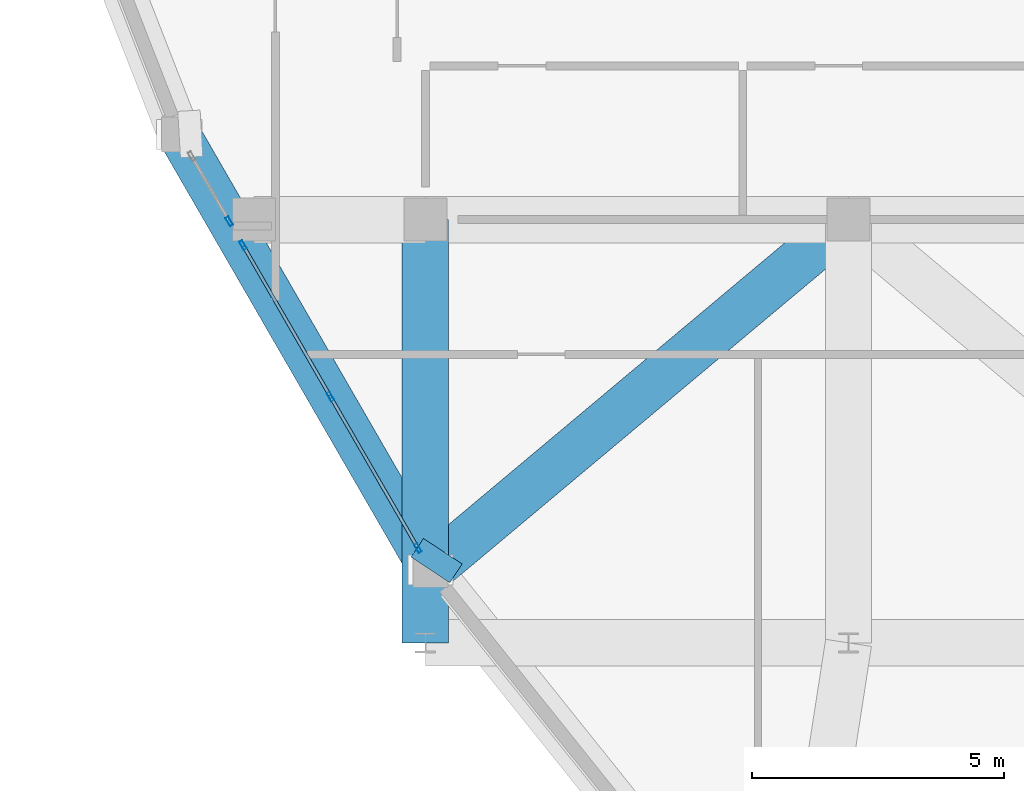
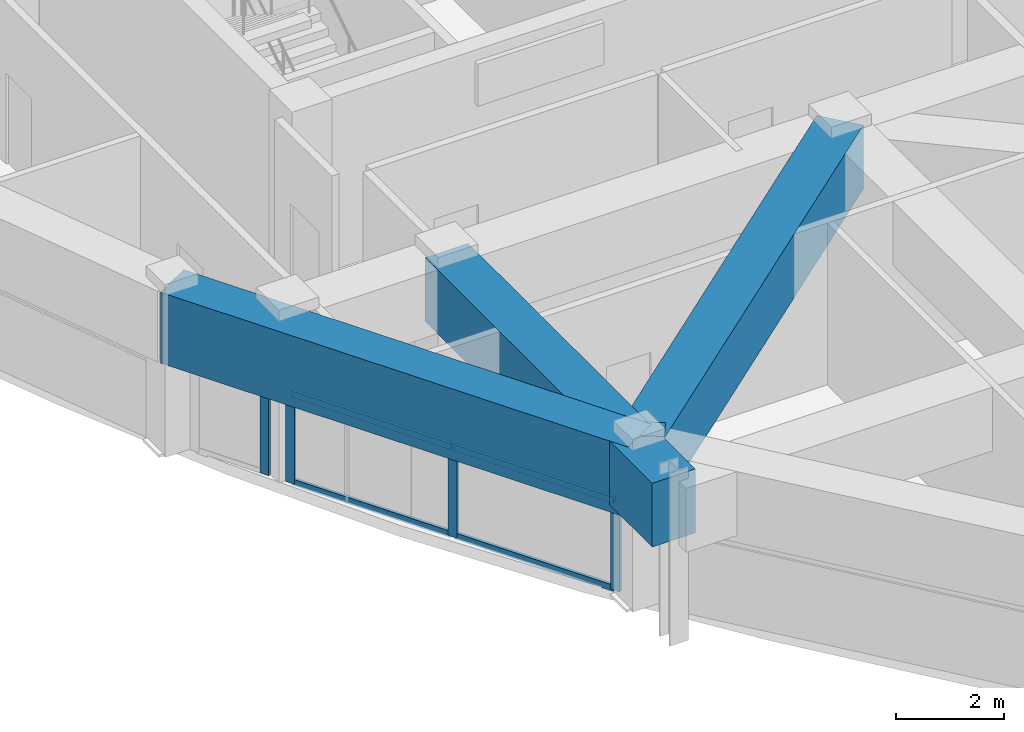
# One storey, part 2 of 13: 8 members, 4 beams, 2 elements without a shape of their own.
"""IFC4 building model written with IfcOpenShell, lengths in metres."""

from ifc_helpers import new_model, si_unit, derived_unit, direction, frame, origin, origin_2d, place, context, subcontext, project, spatial, rectangle, hollow_rectangle, extrude, source, transform, mapped, material, layer, layer_set, material_profile, profile_set, type_object, element, aggregate, save


model = new_model("IFC4")

# Units and contexts
model_context = context("Model", 3, precision=1e-05, world=origin(), true_north=direction((0.0, 1.0)))
body_context = subcontext(model_context, "Body", "Model", "MODEL_VIEW")
ifc_project = project(units=[si_unit("LENGTHUNIT", "METRE"), si_unit("AREAUNIT", "SQUARE_METRE"), si_unit("VOLUMEUNIT", "CUBIC_METRE"), si_unit("PLANEANGLEUNIT", "RADIAN"), si_unit("MASSUNIT", "GRAM", prefix="KILO"), derived_unit("THERMALTRANSMITTANCEUNIT", [(si_unit("POWERUNIT", "WATT"), 1), (si_unit("LENGTHUNIT", "METRE"), -2), (si_unit("THERMODYNAMICTEMPERATUREUNIT", "KELVIN"), -1)])], contexts=[model_context])

# Site, building, storey
site_placement = place(None, origin())
site = spatial("IfcSite", under=ifc_project, at=site_placement, CompositionType="ELEMENT")
building_placement = place(site_placement, origin())
building = spatial("IfcBuilding", under=site, at=building_placement, Name="Korsvarv Bourse and Concert Hall", CompositionType="ELEMENT")
storey_placement = place(building_placement, frame((0.0, 0.0, 292.199951171875)))
storey = spatial("IfcBuildingStorey", under=building, at=storey_placement, Name="L76", CompositionType="ELEMENT", Elevation=292.199951171875)

# Beams
ifc_material_1 = material(Name="Concrete C50/60", Category="concrete")
ifc_material_profile_1 = material_profile(ifc_material_1, rectangle(XDim=0.919921875, YDim=1.43994140625, at=origin_2d()), Name="RC-BM 920x1440")
ifc_profile_set_1 = profile_set([ifc_material_profile_1], Name="Concrete C50/60")
beam_type_1 = type_object("IfcBeamType", Name="BM-TR-144", PredefinedType="BEAM", material=ifc_profile_set_1)
shared_shape_1 = source(origin(), body_context, "Body", "SweptSolid", [
    extrude(rectangle(XDim=0.919921875, YDim=1.43994140625, at=origin_2d()), origin(), (0.0, 0.0, 1.0), 8.39990234375),
])
beam_1_placement = place(storey_placement, frame((27.60009765625, 24.0, 2.929931640625), z_axis=(0.0, 1.0, 0.0), x_axis=(-1.0, 0.0, 0.0)))
element("IfcBeam", 1, at=beam_1_placement, inside=storey, type_object=beam_type_1, Name="L76 beam B-TR4", PredefinedType="BEAM", context=body_context, shape_type="MappedRepresentation", body=[
    mapped(shared_shape_1, transform((0.0, 0.0, 0.0), scale=1.0)),
])
ifc_material_2 = material(Name="Concrete C55/67", Category="concrete")
ifc_material_profile_2 = material_profile(ifc_material_2, rectangle(XDim=0.85009765625, YDim=1.60009765625, at=origin_2d()), Name="RC-BM 850x1600")
ifc_profile_set_2 = profile_set([ifc_material_profile_2], Name="Concrete C55/67")
beam_type_2 = type_object("IfcBeamType", Name="BM-TR1B", PredefinedType="BEAM", material=ifc_profile_set_2)
shared_shape_2 = source(origin(), body_context, "Body", "SweptSolid", [
    extrude(rectangle(XDim=0.85009765625, YDim=1.60009765625, at=origin_2d()), origin(), (0.0, 0.0, 1.0), 9.97802734375),
])
beam_2_placement = place(storey_placement, frame((22.713134765625, 34.089599609375, 2.85009765625), z_axis=(0.500004855171, -0.866022600632, 0.0), x_axis=(0.866022600632, 0.500004855171, 0.0)))
element("IfcBeam", 2, at=beam_2_placement, inside=storey, type_object=beam_type_2, Name="L76 beam B-TR2", PredefinedType="BEAM", context=body_context, shape_type="MappedRepresentation", body=[
    mapped(shared_shape_2, transform((0.0, 0.0, 0.0), scale=1.0)),
])
shared_shape_3 = source(origin(), body_context, "Body", "SweptSolid", [
    extrude(rectangle(XDim=0.919921875, YDim=1.43994140625, at=origin_2d()), origin(), (0.0, 0.0, 1.0), 10.82470703125),
])
beam_3_placement = place(storey_placement, frame((27.7021484375, 25.448486328125, 2.929931640625), z_axis=(0.766558588979, 0.642174376368, 0.0), x_axis=(-0.642174376368, 0.766558588979, 0.0)))
element("IfcBeam", 3, at=beam_3_placement, inside=storey, type_object=beam_type_1, Name="L76 beam B-TR4", PredefinedType="BEAM", context=body_context, shape_type="MappedRepresentation", body=[
    mapped(shared_shape_3, transform((0.0, 0.0, 0.0), scale=1.0)),
])
shared_shape_4 = source(origin(), body_context, "Body", "SweptSolid", [
    extrude(rectangle(XDim=0.919921875, YDim=1.43994140625, at=origin_2d()), origin(), (0.0, 0.0, 1.0), 0.444091796875),
])
beam_4_placement = place(storey_placement, frame((27.7021484375, 25.448486328125, 2.929931640625), z_axis=(0.549868953663, 0.835250940614, 0.0), x_axis=(-0.835250940614, 0.549868953663, 0.0)))
element("IfcBeam", 4, at=beam_4_placement, inside=storey, type_object=beam_type_1, Name="L76 beam B-TR4", PredefinedType="BEAM", context=body_context, shape_type="MappedRepresentation", body=[
    mapped(shared_shape_4, transform((0.0, 0.0, 0.0), scale=1.0)),
])

# Curtain wall, member
ifc_material_3 = material(Name="Anodised aluminium and triple low-E glazing", Category="glass")
ifc_layer = layer(ifc_material_3, 0.22998046875)
ifc_layer_set = layer_set([ifc_layer], Name="Anodised aluminium and triple low-E glazing")
curtain_wall_type = type_object("IfcCurtainWallType", Name="CW-SYS-6", PredefinedType="NOTDEFINED", material=ifc_layer_set)
curtain_wall_1_placement = place(storey_placement, origin())
curtain_wall_1 = element("IfcCurtainWall", 5, at=curtain_wall_1_placement, inside=storey, type_object=curtain_wall_type, Name="L76 CW6 curtain wall CW-L76-CRN07-1", PredefinedType="NOTDEFINED")
ifc_material_4 = material(Name="Extruded aluminium EN AW-6063 T66", Category="aluminium")
ifc_material_profile_3 = material_profile(ifc_material_4, hollow_rectangle(XDim=0.070068359375, YDim=0.18994140625, WallThickness=0.0048828125, at=origin_2d()), Name="ALU-M 70x190")
ifc_profile_set_3 = profile_set([ifc_material_profile_3], Name="Extruded aluminium EN AW-6063 T66")
member_type_1 = type_object("IfcMemberType", Name="CWM-190", PredefinedType="MULLION", material=ifc_profile_set_3)
shared_shape_5 = source(origin(), body_context, "Body", "SweptSolid", [
    extrude(hollow_rectangle(XDim=0.070068359375, YDim=0.18994140625, WallThickness=0.0048828125, at=origin_2d()), origin(), (0.0, 0.0, 1.0), 2.050048828125),
])
member_1_placement = place(storey_placement, frame((23.70751953125, 32.367431640625, 0.0), z_axis=(0.0, 0.0, 1.0), x_axis=(0.866016043039, 0.500016212936, 0.0)))
member_1 = element("IfcMember", 6, at=member_1_placement, type_object=member_type_1, Name="CW6 mullion 2", PredefinedType="MULLION", context=body_context, shape_type="MappedRepresentation", body=[
    mapped(shared_shape_5, transform((0.0, 0.0, 0.0), scale=1.0)),
])
aggregate(curtain_wall_1, [member_1])

# Curtain wall, members
curtain_wall_2_placement = place(storey_placement, origin())
curtain_wall_2 = element("IfcCurtainWall", 7, at=curtain_wall_2_placement, inside=storey, type_object=curtain_wall_type, Name="L76 CW6 curtain wall CW-L76-CRN07-2", PredefinedType="NOTDEFINED")
member_2_placement = place(storey_placement, frame((23.98046875, 31.894775390625, 0.0), z_axis=(0.0, 0.0, 1.0), x_axis=(0.86602704815, 0.499997151864, 0.0)))
member_2 = element("IfcMember", 8, at=member_2_placement, type_object=member_type_1, Name="CW6 mullion 1", PredefinedType="MULLION", context=body_context, shape_type="MappedRepresentation", body=[
    mapped(shared_shape_5, transform((0.0, 0.0, 0.0), scale=1.0)),
])
member_3_placement = place(storey_placement, frame((25.717041015625, 28.88671875, 0.0), z_axis=(0.0, 0.0, 1.0), x_axis=(0.86602704815, 0.499997151864, 0.0)))
member_3 = element("IfcMember", 9, at=member_3_placement, type_object=member_type_1, Name="CW6 mullion 2", PredefinedType="MULLION", context=body_context, shape_type="MappedRepresentation", body=[
    mapped(shared_shape_5, transform((0.0, 0.0, 0.0), scale=1.0)),
])
member_4_placement = place(storey_placement, frame((27.453857421875, 25.878662109375, 0.0), z_axis=(0.0, 0.0, 1.0), x_axis=(0.86602704815, 0.499997151864, 0.0)))
member_4 = element("IfcMember", 10, at=member_4_placement, type_object=member_type_1, Name="CW6 mullion 3", PredefinedType="MULLION", context=body_context, shape_type="MappedRepresentation", body=[
    mapped(shared_shape_5, transform((0.0, 0.0, 0.0), scale=1.0)),
])
ifc_material_profile_4 = material_profile(ifc_material_4, hollow_rectangle(XDim=0.06494140625, YDim=0.139892578125, WallThickness=0.00390625, at=origin_2d()), Name="ALU-T 65x140")
ifc_profile_set_4 = profile_set([ifc_material_profile_4], Name="Extruded aluminium EN AW-6063 T66")
member_type_2 = type_object("IfcMemberType", Name="CWT-140", PredefinedType="USERDEFINED", material=ifc_profile_set_4)
shared_shape_6 = source(origin(), body_context, "Body", "SweptSolid", [
    extrude(hollow_rectangle(XDim=0.06494140625, YDim=0.139892578125, WallThickness=0.00390625, at=origin_2d()), origin(), (0.0, 0.0, 1.0), 3.4033203125),
])
member_5_placement = place(storey_placement, frame((23.998046875, 31.8642578125, 0.032470703125), z_axis=(0.500012242915, -0.866018335219, 0.0), x_axis=(0.866018335219, 0.500012242915, 0.0)))
member_5 = element("IfcMember", 11, at=member_5_placement, type_object=member_type_2, Name="CW6 transom 1.1", ObjectType="TRANSOM", PredefinedType="USERDEFINED", context=body_context, shape_type="MappedRepresentation", body=[
    mapped(shared_shape_6, transform((0.0, 0.0, 0.0), scale=1.0)),
])
member_6_placement = place(storey_placement, frame((23.998046875, 31.8642578125, 2.017578125), z_axis=(0.500012242915, -0.866018335219, 0.0), x_axis=(0.866018335219, 0.500012242915, 0.0)))
member_6 = element("IfcMember", 12, at=member_6_placement, type_object=member_type_2, Name="CW6 transom 1.2", ObjectType="TRANSOM", PredefinedType="USERDEFINED", context=body_context, shape_type="MappedRepresentation", body=[
    mapped(shared_shape_6, transform((0.0, 0.0, 0.0), scale=1.0)),
])
shared_shape_7 = source(origin(), body_context, "Body", "SweptSolid", [
    extrude(hollow_rectangle(XDim=0.06494140625, YDim=0.139892578125, WallThickness=0.00390625, at=origin_2d()), origin(), (0.0, 0.0, 1.0), 3.403564453125),
])
member_7_placement = place(storey_placement, frame((25.734619140625, 28.8564453125, 0.032470703125), z_axis=(0.499981180652, -0.866036268868, 0.0), x_axis=(0.866036268868, 0.499981180652, 0.0)))
member_7 = element("IfcMember", 13, at=member_7_placement, type_object=member_type_2, Name="CW6 transom 2.1", ObjectType="TRANSOM", PredefinedType="USERDEFINED", context=body_context, shape_type="MappedRepresentation", body=[
    mapped(shared_shape_7, transform((0.0, 0.0, 0.0), scale=1.0)),
])
member_8_placement = place(storey_placement, frame((25.734619140625, 28.8564453125, 2.017578125), z_axis=(0.499981180652, -0.866036268868, 0.0), x_axis=(0.866036268868, 0.499981180652, 0.0)))
member_8 = element("IfcMember", 14, at=member_8_placement, type_object=member_type_2, Name="CW6 transom 2.2", ObjectType="TRANSOM", PredefinedType="USERDEFINED", context=body_context, shape_type="MappedRepresentation", body=[
    mapped(shared_shape_7, transform((0.0, 0.0, 0.0), scale=1.0)),
])
aggregate(curtain_wall_2, [member_2, member_3, member_4, member_5, member_6, member_7, member_8])

save(model, "model.ifc")
